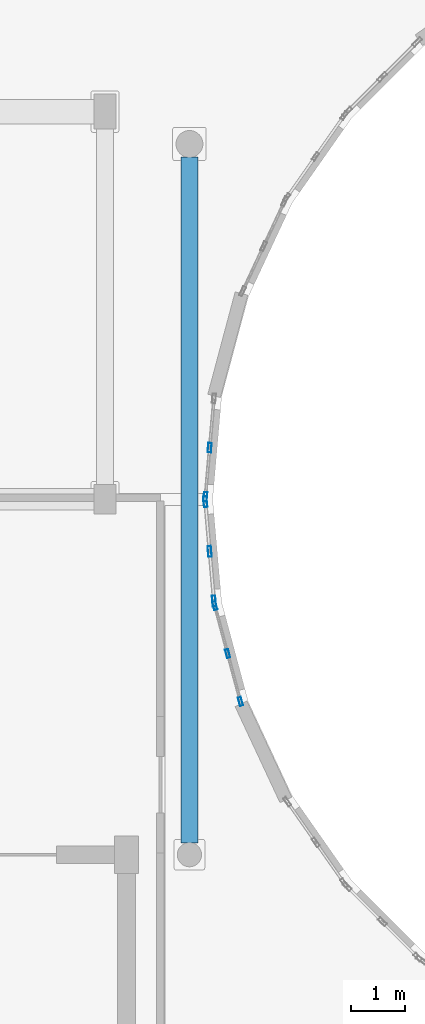
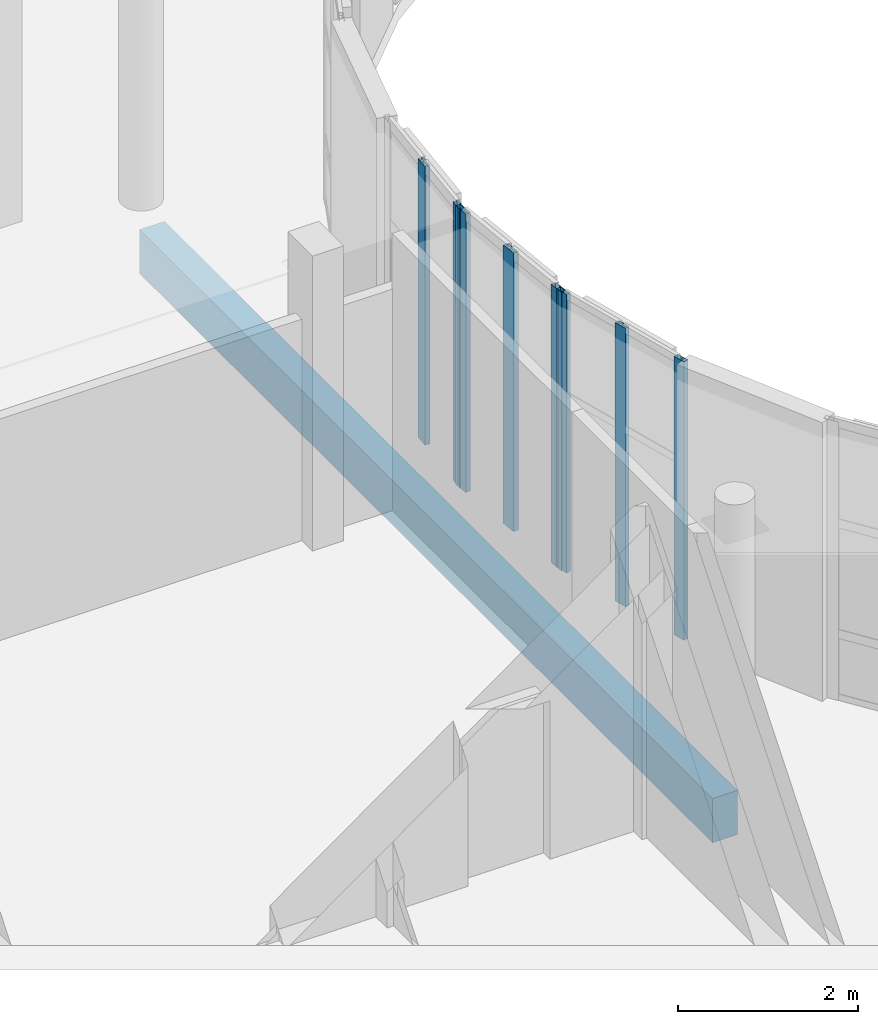
# One storey, part 17 of 89: 8 members, 1 beam, 3 elements without a shape of their own.
"""IFC4 building model written with IfcOpenShell, lengths in metres."""

from ifc_helpers import new_model, si_unit, direction, frame, origin, origin_2d, place, context, subcontext, project, spatial, rectangle, hollow_rectangle, extrude, material, layer, layer_set, material_profile, profile_set, type_object, element, aggregate, save


model = new_model("IFC4")

# Units and contexts
model_context = context("Model", 3, precision=1e-05, world=origin(), true_north=direction((0.0, 1.0)))
body_context = subcontext(model_context, "Body", "Model", "MODEL_VIEW")
ifc_project = project(units=[si_unit("LENGTHUNIT", "METRE"), si_unit("AREAUNIT", "SQUARE_METRE"), si_unit("VOLUMEUNIT", "CUBIC_METRE"), si_unit("PLANEANGLEUNIT", "RADIAN"), si_unit("MASSUNIT", "GRAM", prefix="KILO")], contexts=[model_context])

# Site, building, storey
site_placement = place(None, origin())
site = spatial("IfcSite", under=ifc_project, at=site_placement, CompositionType="ELEMENT")
building_placement = place(site_placement, origin())
building = spatial("IfcBuilding", under=site, at=building_placement, Name="Kelanivale Promenade Academy", CompositionType="ELEMENT")
storey_placement = place(building_placement, frame((0.0, 0.0, 12.199951171875)))
storey = spatial("IfcBuildingStorey", under=building, at=storey_placement, Name="L03", CompositionType="ELEMENT", Elevation=12.199951171875)

# Curtain wall, members
ifc_material_1 = material(Name="Bronze anodised aluminium and solar-control low-E glass", Category="aluminium")
ifc_layer_1 = layer(ifc_material_1, 0.169921875)
ifc_layer_set_1 = layer_set([ifc_layer_1], Name="Bronze anodised aluminium and solar-control low-E glass")
curtain_wall_type_1 = type_object("IfcCurtainWallType", Name="CW-01 Curtain Wall 1350mm Module", PredefinedType="USERDEFINED", material=ifc_layer_set_1)
curtain_wall_1_placement = place(storey_placement, origin())
curtain_wall_1 = element("IfcCurtainWall", 1, at=curtain_wall_1_placement, inside=storey, type_object=curtain_wall_type_1, Name="L03 courtyard curtain wall CW-01", ObjectType="UNITISED GLAZING", PredefinedType="USERDEFINED")
ifc_material_2 = material(Name="Bronze anodised aluminium EN AW-6063 T6", Category="aluminium")
ifc_material_profile_1 = material_profile(ifc_material_2, hollow_rectangle(XDim=0.06005859375, YDim=0.159912109375, WallThickness=0.00390625, at=origin_2d()), Name="ALU 60x160x4.0")
ifc_profile_set_1 = profile_set([ifc_material_profile_1], Name="Bronze anodised aluminium EN AW-6063 T6")
member_type_1 = type_object("IfcMemberType", Name="CWM-01 ALU 60x160x4.0", PredefinedType="MULLION", material=ifc_profile_set_1)
member_1_placement = place(storey_placement, frame((52.439697265625, 54.824951171875, 0.0), z_axis=(0.0, 0.0, 1.0), x_axis=(0.965990259056, 0.258578458902, 0.0)))
member_1 = element("IfcMember", 2, at=member_1_placement, type_object=member_type_1, Name="CW-01 mullion 1", PredefinedType="MULLION", context=body_context, shape_type="SweptSolid", body=[
    extrude(hollow_rectangle(XDim=0.06005859375, YDim=0.159912109375, WallThickness=0.00390625, at=origin_2d()), origin(), (0.0, 0.0, 1.0), 3.780029296875),
])
member_2_placement = place(storey_placement, frame((52.677978515625, 53.93505859375, 0.0), z_axis=(0.0, 0.0, 1.0), x_axis=(0.965990259056, 0.258578458902, 0.0)))
member_2 = element("IfcMember", 3, at=member_2_placement, type_object=member_type_1, Name="CW-01 mullion 2", PredefinedType="MULLION", context=body_context, shape_type="SweptSolid", body=[
    extrude(hollow_rectangle(XDim=0.06005859375, YDim=0.159912109375, WallThickness=0.00390625, at=origin_2d()), origin(), (0.0, 0.0, 1.0), 3.780029296875),
])
member_3_placement = place(storey_placement, frame((52.916259765625, 53.044921875, 0.0), z_axis=(0.0, 0.0, 1.0), x_axis=(0.965990259056, 0.258578458902, 0.0)))
member_3 = element("IfcMember", 4, at=member_3_placement, type_object=member_type_1, Name="CW-01 mullion 3", PredefinedType="MULLION", context=body_context, shape_type="SweptSolid", body=[
    extrude(hollow_rectangle(XDim=0.06005859375, YDim=0.159912109375, WallThickness=0.00390625, at=origin_2d()), origin(), (0.0, 0.0, 1.0), 3.780029296875),
])
aggregate(curtain_wall_1, [member_1, member_2, member_3])

ifc_layer_2 = layer(ifc_material_1, 0.179931640625)
ifc_layer_set_2 = layer_set([ifc_layer_2], Name="Bronze anodised aluminium and solar-control low-E glass")
curtain_wall_type_2 = type_object("IfcCurtainWallType", Name="CW-23 Curtain Wall 1950mm Module", PredefinedType="USERDEFINED", material=ifc_layer_set_2)
curtain_wall_2_placement = place(storey_placement, origin())
curtain_wall_2 = element("IfcCurtainWall", 5, at=curtain_wall_2_placement, inside=storey, type_object=curtain_wall_type_2, Name="L03 courtyard curtain wall CW-23", ObjectType="COURTYARD SCREEN GLAZING", PredefinedType="USERDEFINED")
ifc_material_profile_2 = material_profile(ifc_material_2, hollow_rectangle(XDim=0.06494140625, YDim=0.175048828125, WallThickness=0.00390625, at=origin_2d()), Name="ALU 65x175x4.0")
ifc_profile_set_2 = profile_set([ifc_material_profile_2], Name="Bronze anodised aluminium EN AW-6063 T6")
member_type_2 = type_object("IfcMemberType", Name="CWM-03 ALU 65x175x4.0", PredefinedType="MULLION", material=ifc_profile_set_2)
member_4_placement = place(storey_placement, frame((52.343994140625, 57.759521484375, 0.0), z_axis=(0.0, 0.0, 1.0), x_axis=(0.996185153601, -0.087264768066, 0.0)))
member_4 = element("IfcMember", 6, at=member_4_placement, type_object=member_type_2, Name="CW-23 mullion 2", PredefinedType="MULLION", context=body_context, shape_type="SweptSolid", body=[
    extrude(hollow_rectangle(XDim=0.06494140625, YDim=0.175048828125, WallThickness=0.00390625, at=origin_2d()), origin(), (0.0, 0.0, 1.0), 3.780029296875),
])
member_5_placement = place(storey_placement, frame((52.263916015625, 56.844482421875, 0.0), z_axis=(0.0, 0.0, 1.0), x_axis=(0.996185153601, -0.087264768066, 0.0)))
member_5 = element("IfcMember", 7, at=member_5_placement, type_object=member_type_2, Name="CW-23 mullion 3", PredefinedType="MULLION", context=body_context, shape_type="SweptSolid", body=[
    extrude(hollow_rectangle(XDim=0.06494140625, YDim=0.175048828125, WallThickness=0.00390625, at=origin_2d()), origin(), (0.0, 0.0, 1.0), 3.780029296875),
])
aggregate(curtain_wall_2, [member_4, member_5])

ifc_layer_3 = layer(ifc_material_1, 0.159912109375)
ifc_layer_set_3 = layer_set([ifc_layer_3], Name="Bronze anodised aluminium and solar-control low-E glass")
curtain_wall_type_3 = type_object("IfcCurtainWallType", Name="CW-24 Curtain Wall 1200mm Module", PredefinedType="USERDEFINED", material=ifc_layer_set_3)
curtain_wall_3_placement = place(storey_placement, origin())
curtain_wall_3 = element("IfcCurtainWall", 8, at=curtain_wall_3_placement, inside=storey, type_object=curtain_wall_type_3, Name="L03 courtyard curtain wall CW-24", ObjectType="COURTYARD SCREEN GLAZING", PredefinedType="USERDEFINED")
ifc_material_profile_3 = material_profile(ifc_material_2, hollow_rectangle(XDim=0.06494140625, YDim=0.199951171875, WallThickness=0.00439453125, at=origin_2d()), Name="ALU 65x200x4.5")
ifc_profile_set_3 = profile_set([ifc_material_profile_3], Name="Bronze anodised aluminium EN AW-6063 T6")
member_type_3 = type_object("IfcMemberType", Name="CWM-04 ALU 65x200x4.5", PredefinedType="MULLION", material=ifc_profile_set_3)
member_6_placement = place(storey_placement, frame((52.263916015625, 56.755615234375, 0.0), z_axis=(0.0, 0.0, 1.0), x_axis=(0.996199376727, 0.087102249164, 0.0)))
member_6 = element("IfcMember", 9, at=member_6_placement, type_object=member_type_3, Name="CW-24 mullion 1", PredefinedType="MULLION", context=body_context, shape_type="SweptSolid", body=[
    extrude(hollow_rectangle(XDim=0.06494140625, YDim=0.199951171875, WallThickness=0.00439453125, at=origin_2d()), origin(), (0.0, 0.0, 1.0), 3.780029296875),
])
member_7_placement = place(storey_placement, frame((52.344482421875, 55.8330078125, 0.0), z_axis=(0.0, 0.0, 1.0), x_axis=(0.996199376727, 0.087102249164, 0.0)))
member_7 = element("IfcMember", 10, at=member_7_placement, type_object=member_type_3, Name="CW-24 mullion 2", PredefinedType="MULLION", context=body_context, shape_type="SweptSolid", body=[
    extrude(hollow_rectangle(XDim=0.06494140625, YDim=0.199951171875, WallThickness=0.00439453125, at=origin_2d()), origin(), (0.0, 0.0, 1.0), 3.780029296875),
])
member_8_placement = place(storey_placement, frame((52.425048828125, 54.910400390625, 0.0), z_axis=(0.0, 0.0, 1.0), x_axis=(0.996199376727, 0.087102249164, 0.0)))
member_8 = element("IfcMember", 11, at=member_8_placement, type_object=member_type_3, Name="CW-24 mullion 3", PredefinedType="MULLION", context=body_context, shape_type="SweptSolid", body=[
    extrude(hollow_rectangle(XDim=0.06494140625, YDim=0.199951171875, WallThickness=0.00439453125, at=origin_2d()), origin(), (0.0, 0.0, 1.0), 3.780029296875),
])
aggregate(curtain_wall_3, [member_6, member_7, member_8])

# Beam
ifc_material_3 = material(Name="Concrete C35/45", Category="concrete")
ifc_material_profile_4 = material_profile(ifc_material_3, rectangle(XDim=0.320068359375, YDim=0.60009765625, at=origin_2d()), Name="RC-BM 320x600")
ifc_profile_set_4 = profile_set([ifc_material_profile_4], Name="Concrete C35/45")
beam_type = type_object("IfcBeamType", Name="JS-05 RC-BM 320x600", PredefinedType="JOIST", material=ifc_profile_set_4)
beam_placement = place(storey_placement, frame((51.968017578125, 50.419921875, -0.52001953125), z_axis=(0.0, 1.0, 0.0), x_axis=(-1.0, 0.0, 0.0)))
element("IfcBeam", 12, at=beam_placement, inside=storey, type_object=beam_type, Name="L03 beam JS-05", PredefinedType="JOIST", context=body_context, shape_type="SweptSolid", body=[
    extrude(rectangle(XDim=0.320068359375, YDim=0.60009765625, at=origin_2d()), origin(), (0.0, 0.0, 1.0), 12.735107421875),
])

save(model, "model.ifc")
